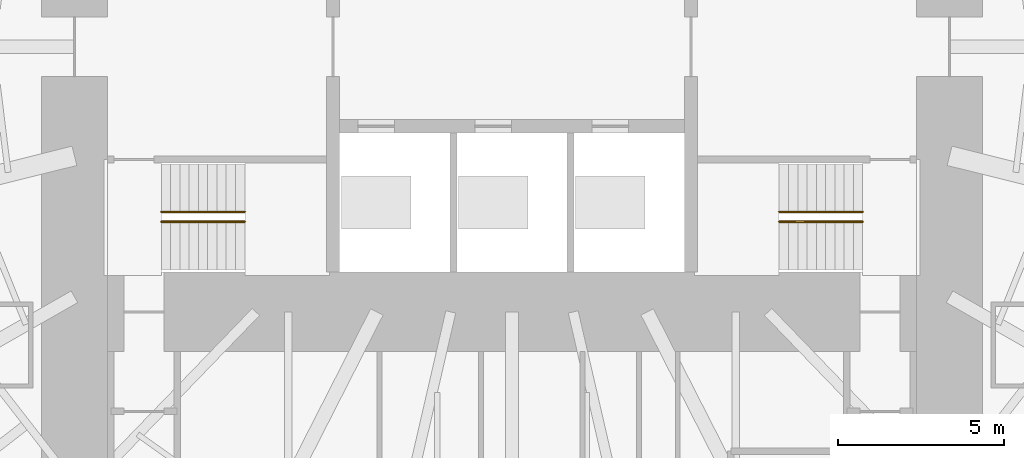
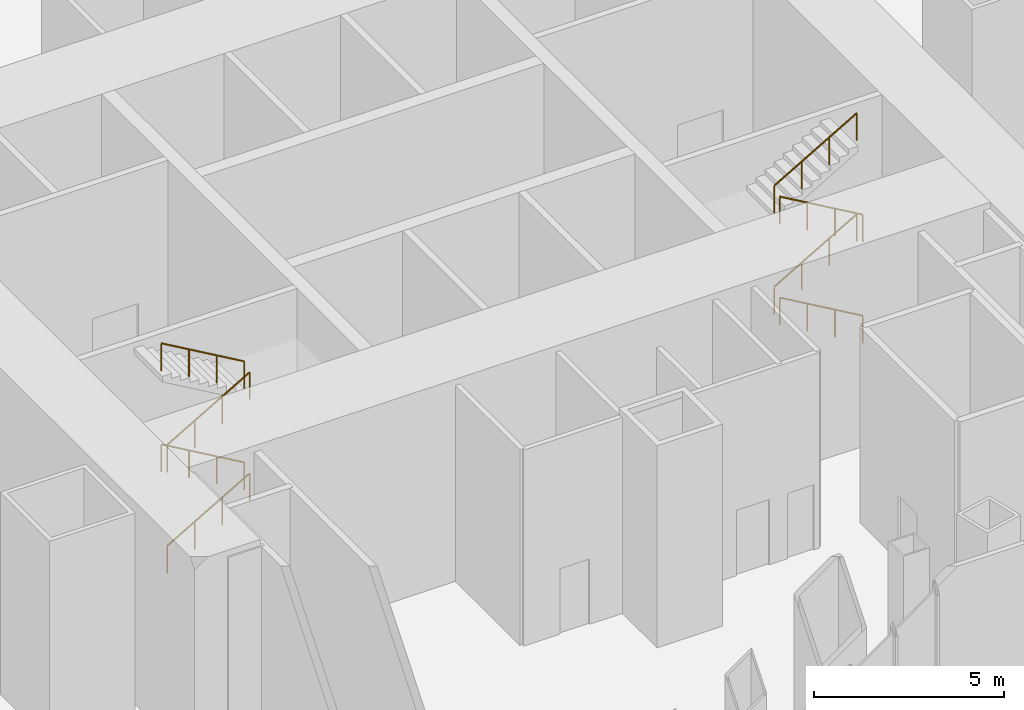
# One storey, part 46 of 47: 8 railings.
"""IFC4 building model written with IfcOpenShell, lengths in metres."""

from ifc_helpers import new_model, si_unit, direction, frame, origin, origin_2d, place, context, subcontext, project, spatial, circle, extrude, material, type_object, element, save


model = new_model("IFC4")

# Units and contexts
model_context = context("Model", 3, precision=1e-05, world=origin(), true_north=direction((0.0, 1.0)))
body_context = subcontext(model_context, "Body", "Model", "MODEL_VIEW")
ifc_project = project(units=[si_unit("LENGTHUNIT", "METRE"), si_unit("AREAUNIT", "SQUARE_METRE"), si_unit("VOLUMEUNIT", "CUBIC_METRE"), si_unit("PLANEANGLEUNIT", "RADIAN"), si_unit("MASSUNIT", "GRAM", prefix="KILO")], contexts=[model_context])

# Site, building, storey
site_placement = place(None, origin())
site = spatial("IfcSite", under=ifc_project, at=site_placement, CompositionType="ELEMENT")
building_placement = place(site_placement, origin())
building = spatial("IfcBuilding", under=site, at=building_placement, Name="Lantaw Convention Tower", CompositionType="ELEMENT")
storey_placement = place(building_placement, origin())
storey = spatial("IfcBuildingStorey", under=building, at=storey_placement, Name="L00", CompositionType="ELEMENT", Elevation=0.0)

# Railings
ifc_material = material(Name="Stainless steel", Category="steel")
railing_type = type_object("IfcRailingType", Name="Stair handrail", PredefinedType="HANDRAIL", material=ifc_material)
railing_1_placement = place(storey_placement, frame((-10.580078125, -5.280029296875, 0.16259765625)))
element("IfcRailing", 1, at=railing_1_placement, inside=storey, type_object=railing_type, Name="Stair handrail S1", PredefinedType="HANDRAIL", context=body_context, shape_type="SweptSolid", body=[
    extrude(circle(Radius=0.02392578125, at=origin_2d()), frame((0.0, 0.0, 0.8759765625), z_axis=(0.864913338283, 0.0, 0.50192122615), x_axis=(0.0, 1.0, 0.0)), (0.0, 0.0, 1.0), 2.91357421875),
    extrude(circle(Radius=0.02099609375, at=origin_2d()), origin(), (0.0, 0.0, 1.0), 0.851806640625),
    extrude(circle(Radius=0.02099609375, at=origin_2d()), frame((0.840087890625, 0.0, 0.487548828125)), (0.0, 0.0, 1.0), 0.851806640625),
    extrude(circle(Radius=0.02099609375, at=origin_2d()), frame((1.679931640625, 0.0, 0.974853515625)), (0.0, 0.0, 1.0), 0.851806640625),
    extrude(circle(Radius=0.02099609375, at=origin_2d()), frame((2.52001953125, 0.0, 1.46240234375)), (0.0, 0.0, 1.0), 0.851806640625),
])
railing_2_placement = place(storey_placement, frame((-8.06005859375, -4.97998046875, 1.78759765625)))
element("IfcRailing", 2, at=railing_2_placement, inside=storey, type_object=railing_type, Name="Stair handrail S1", PredefinedType="HANDRAIL", context=body_context, shape_type="SweptSolid", body=[
    extrude(circle(Radius=0.02392578125, at=origin_2d()), frame((0.0, 0.0, 0.8759765625), z_axis=(-0.864913338283, 0.0, 0.50192122615), x_axis=(0.0, -1.0, 0.0)), (0.0, 0.0, 1.0), 2.91357421875),
    extrude(circle(Radius=0.02099609375, at=origin_2d()), origin(), (0.0, 0.0, 1.0), 0.851806640625),
    extrude(circle(Radius=0.02099609375, at=origin_2d()), frame((-0.840087890625, 0.0, 0.487548828125)), (0.0, 0.0, 1.0), 0.851806640625),
    extrude(circle(Radius=0.02099609375, at=origin_2d()), frame((-1.679931640625, 0.0, 0.974853515625)), (0.0, 0.0, 1.0), 0.851806640625),
    extrude(circle(Radius=0.02099609375, at=origin_2d()), frame((-2.52001953125, 0.0, 1.46240234375)), (0.0, 0.0, 1.0), 0.851806640625),
])
railing_3_placement = place(storey_placement, frame((-10.580078125, -5.280029296875, 3.41259765625)))
element("IfcRailing", 3, at=railing_3_placement, inside=storey, type_object=railing_type, Name="Stair handrail S1", PredefinedType="HANDRAIL", context=body_context, shape_type="SweptSolid", body=[
    extrude(circle(Radius=0.02392578125, at=origin_2d()), frame((0.0, 0.0, 0.8759765625), z_axis=(0.864913338283, 0.0, 0.50192122615), x_axis=(0.0, 1.0, 0.0)), (0.0, 0.0, 1.0), 2.91357421875),
    extrude(circle(Radius=0.02099609375, at=origin_2d()), origin(), (0.0, 0.0, 1.0), 0.851806640625),
    extrude(circle(Radius=0.02099609375, at=origin_2d()), frame((0.840087890625, 0.0, 0.487548828125)), (0.0, 0.0, 1.0), 0.851806640625),
    extrude(circle(Radius=0.02099609375, at=origin_2d()), frame((1.679931640625, 0.0, 0.974853515625)), (0.0, 0.0, 1.0), 0.851806640625),
    extrude(circle(Radius=0.02099609375, at=origin_2d()), frame((2.52001953125, 0.0, 1.46240234375)), (0.0, 0.0, 1.0), 0.851806640625),
])
for number, where, name in (
    (4, (-8.06005859375, -4.97998046875, 5.03759765625), "Stair handrail S1"),
    (5, (10.580078125, -5.280029296875, 0.16259765625), "Stair handrail S2"),
):
    element("IfcRailing", number, at=place(storey_placement, frame(where)), inside=storey, type_object=railing_type, Name=name, PredefinedType="HANDRAIL", context=body_context, shape_type="SweptSolid", body=[
        extrude(circle(Radius=0.02392578125, at=origin_2d()), frame((0.0, 0.0, 0.8759765625), z_axis=(-0.864913338283, 0.0, 0.50192122615), x_axis=(0.0, -1.0, 0.0)), (0.0, 0.0, 1.0), 2.91357421875),
        extrude(circle(Radius=0.02099609375, at=origin_2d()), origin(), (0.0, 0.0, 1.0), 0.851806640625),
        extrude(circle(Radius=0.02099609375, at=origin_2d()), frame((-0.840087890625, 0.0, 0.487548828125)), (0.0, 0.0, 1.0), 0.851806640625),
        extrude(circle(Radius=0.02099609375, at=origin_2d()), frame((-1.679931640625, 0.0, 0.974853515625)), (0.0, 0.0, 1.0), 0.851806640625),
        extrude(circle(Radius=0.02099609375, at=origin_2d()), frame((-2.52001953125, 0.0, 1.46240234375)), (0.0, 0.0, 1.0), 0.851806640625),
    ])
railing_4_placement = place(storey_placement, frame((8.06005859375, -4.97998046875, 1.78759765625)))
element("IfcRailing", 6, at=railing_4_placement, inside=storey, type_object=railing_type, Name="Stair handrail S2", PredefinedType="HANDRAIL", context=body_context, shape_type="SweptSolid", body=[
    extrude(circle(Radius=0.02392578125, at=origin_2d()), frame((0.0, 0.0, 0.8759765625), z_axis=(0.864913338283, 0.0, 0.50192122615), x_axis=(0.0, 1.0, 0.0)), (0.0, 0.0, 1.0), 2.91357421875),
    extrude(circle(Radius=0.02099609375, at=origin_2d()), origin(), (0.0, 0.0, 1.0), 0.851806640625),
    extrude(circle(Radius=0.02099609375, at=origin_2d()), frame((0.840087890625, 0.0, 0.487548828125)), (0.0, 0.0, 1.0), 0.851806640625),
    extrude(circle(Radius=0.02099609375, at=origin_2d()), frame((1.679931640625, 0.0, 0.974853515625)), (0.0, 0.0, 1.0), 0.851806640625),
    extrude(circle(Radius=0.02099609375, at=origin_2d()), frame((2.52001953125, 0.0, 1.46240234375)), (0.0, 0.0, 1.0), 0.851806640625),
])
railing_5_placement = place(storey_placement, frame((10.580078125, -5.280029296875, 3.41259765625)))
element("IfcRailing", 7, at=railing_5_placement, inside=storey, type_object=railing_type, Name="Stair handrail S2", PredefinedType="HANDRAIL", context=body_context, shape_type="SweptSolid", body=[
    extrude(circle(Radius=0.02392578125, at=origin_2d()), frame((0.0, 0.0, 0.8759765625), z_axis=(-0.864913338283, 0.0, 0.50192122615), x_axis=(0.0, -1.0, 0.0)), (0.0, 0.0, 1.0), 2.91357421875),
    extrude(circle(Radius=0.02099609375, at=origin_2d()), origin(), (0.0, 0.0, 1.0), 0.851806640625),
    extrude(circle(Radius=0.02099609375, at=origin_2d()), frame((-0.840087890625, 0.0, 0.487548828125)), (0.0, 0.0, 1.0), 0.851806640625),
    extrude(circle(Radius=0.02099609375, at=origin_2d()), frame((-1.679931640625, 0.0, 0.974853515625)), (0.0, 0.0, 1.0), 0.851806640625),
    extrude(circle(Radius=0.02099609375, at=origin_2d()), frame((-2.52001953125, 0.0, 1.46240234375)), (0.0, 0.0, 1.0), 0.851806640625),
])
railing_6_placement = place(storey_placement, frame((8.06005859375, -4.97998046875, 5.03759765625)))
element("IfcRailing", 8, at=railing_6_placement, inside=storey, type_object=railing_type, Name="Stair handrail S2", PredefinedType="HANDRAIL", context=body_context, shape_type="SweptSolid", body=[
    extrude(circle(Radius=0.02392578125, at=origin_2d()), frame((0.0, 0.0, 0.8759765625), z_axis=(0.864913338283, 0.0, 0.50192122615), x_axis=(0.0, 1.0, 0.0)), (0.0, 0.0, 1.0), 2.91357421875),
    extrude(circle(Radius=0.02099609375, at=origin_2d()), origin(), (0.0, 0.0, 1.0), 0.851806640625),
    extrude(circle(Radius=0.02099609375, at=origin_2d()), frame((0.840087890625, 0.0, 0.487548828125)), (0.0, 0.0, 1.0), 0.851806640625),
    extrude(circle(Radius=0.02099609375, at=origin_2d()), frame((1.679931640625, 0.0, 0.974853515625)), (0.0, 0.0, 1.0), 0.851806640625),
    extrude(circle(Radius=0.02099609375, at=origin_2d()), frame((2.52001953125, 0.0, 1.46240234375)), (0.0, 0.0, 1.0), 0.851806640625),
])

save(model, "model.ifc")
